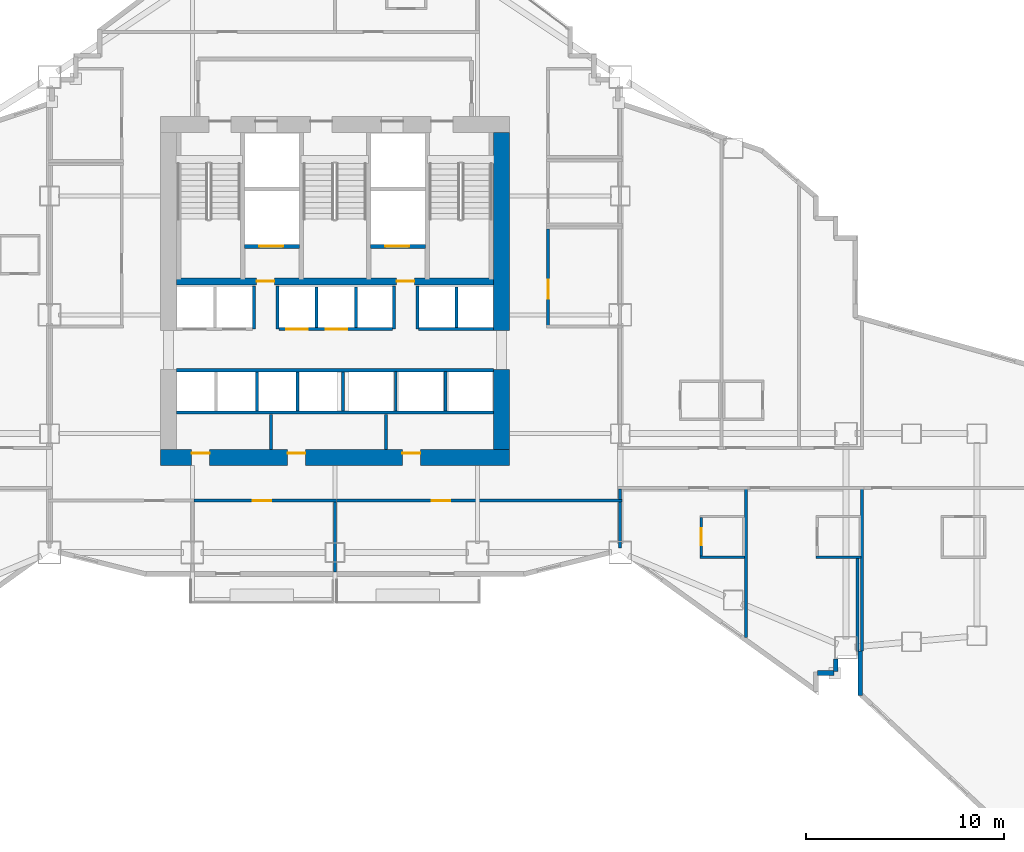
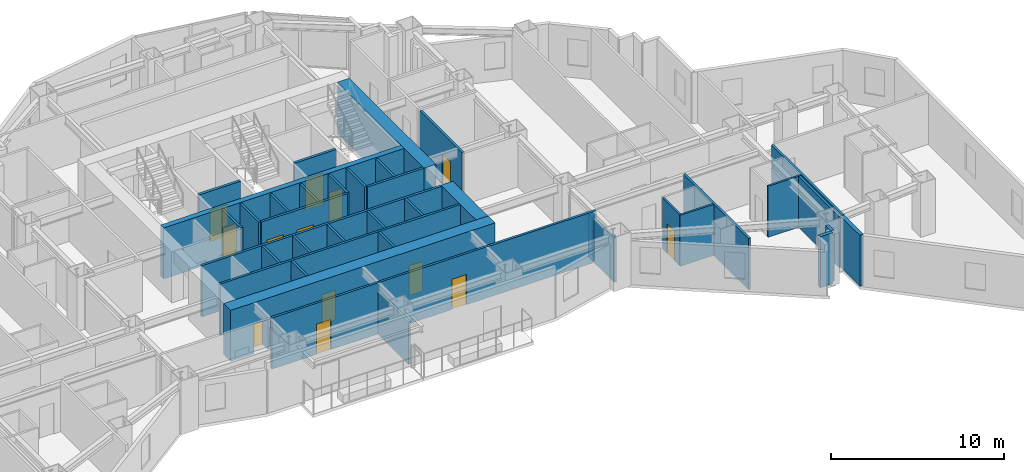
# One storey, part 9 of 16: 39 walls, 13 doors, 13 openings.
"""IFC4 building model written with IfcOpenShell, lengths in metres."""

import ifcopenshell
import ifcopenshell.guid

model = None  # the IFC model being written
_history = None  # IfcOwnerHistory: only IFC2X3 demands one
_inside = {}  # id of a spatial element -> (the spatial element, [elements in it])
_under = {}  # id of a project, library or spatial element -> (it, [spatial elements below it])
_declared = {}  # id of a project -> (the project, [libraries it declares])
_typed = {}  # id of a type object -> (the type object, [elements of that type])
_made_of = {}  # id of a material, layer set ... -> (it, [elements and type objects made of it])


def new_model(schema):
    """Start an empty IFC model of exactly this schema.

    Asked for "IFC4X3", IfcOpenShell would pick the latest addendum, in which some entities
    have other attributes; the version numbers below select the first issue.
    IFC2X3 requires an IfcOwnerHistory on every rooted entity: one is made here for all.
    """
    global model, _history
    if schema == "IFC4X3":
        model = ifcopenshell.file(schema_version=(4, 3, 0, 0))
    else:
        model = ifcopenshell.file(schema=schema)
    _inside.clear()
    _under.clear()
    _declared.clear()
    _typed.clear()
    _made_of.clear()
    _history = None
    if model.schema == "IFC2X3":
        org = make("IfcOrganization", Name="unknown")
        user = make(
            "IfcPersonAndOrganization",
            ThePerson=make("IfcPerson", FamilyName="unknown"),
            TheOrganization=org,
        )
        app = make(
            "IfcApplication",
            ApplicationDeveloper=org,
            Version="unknown",
            ApplicationFullName="unknown",
            ApplicationIdentifier="unknown",
        )
        _history = make(
            "IfcOwnerHistory",
            OwningUser=user,
            OwningApplication=app,
            ChangeAction="ADDED",
            CreationDate=0,
        )
    return model


def make(cls, **values):
    """One entity of the class cls with the attributes given. An attribute that is None is left unset."""
    return model.create_entity(
        cls, **{name: value for name, value in values.items() if value is not None}
    )


def rooted(cls, **values):
    """An entity with a GlobalId (a new one), such as an element, a storey or a relation."""
    return make(cls, GlobalId=ifcopenshell.guid.new(), OwnerHistory=_history, **values)


def si_unit(unit_type, name, prefix=None):
    """IfcSIUnit, for example si_unit("LENGTHUNIT", "METRE", prefix="MILLI")."""
    return make("IfcSIUnit", UnitType=unit_type, Prefix=prefix, Name=name)


def assignment(units):
    """IfcUnitAssignment: the units of a project."""
    return None if units is None else make("IfcUnitAssignment", Units=units)


def point(xyz):
    """IfcCartesianPoint."""
    return None if xyz is None else make("IfcCartesianPoint", Coordinates=xyz)


def direction(xyz):
    """IfcDirection."""
    return None if xyz is None else make("IfcDirection", DirectionRatios=xyz)


def frame(location, z_axis=None, x_axis=None):
    """IfcAxis2Placement3D, a coordinate frame: its origin and axes. An axis left out is left unset."""
    return make(
        "IfcAxis2Placement3D",
        Location=point(location),
        Axis=direction(z_axis),
        RefDirection=direction(x_axis),
    )


def frame_2d(location, x_axis=None):
    """IfcAxis2Placement2D, a coordinate frame in the plane: its origin and x axis."""
    return make(
        "IfcAxis2Placement2D", Location=point(location), RefDirection=direction(x_axis)
    )


def origin():
    """The frame at (0, 0, 0) with its axes left unset."""
    return frame((0.0, 0.0, 0.0))


def place(relative_to, where):
    """IfcLocalPlacement: puts the frame where relative to a parent placement (None: the world)."""
    return make(
        "IfcLocalPlacement", PlacementRelTo=relative_to, RelativePlacement=where
    )


def context(
    kind, dimensions, precision=None, world=None, true_north=None, identifier=None
):
    """IfcGeometricRepresentationContext, for example the 3D "Model" context."""
    return make(
        "IfcGeometricRepresentationContext",
        ContextIdentifier=identifier,
        ContextType=kind,
        CoordinateSpaceDimension=dimensions,
        Precision=precision,
        WorldCoordinateSystem=world,
        TrueNorth=true_north,
    )


def subcontext(parent, identifier, kind, view, scale=None):
    """IfcGeometricRepresentationSubContext, for example "Body" below "Model"."""
    return make(
        "IfcGeometricRepresentationSubContext",
        ContextIdentifier=identifier,
        ContextType=kind,
        ParentContext=parent,
        TargetScale=scale,
        TargetView=view,
    )


def project(units=None, contexts=None):
    """IfcProject with its units and contexts."""
    return rooted(
        "IfcProject",
        Name="project",
        RepresentationContexts=contexts,
        UnitsInContext=assignment(units),
    )


def spatial(cls, under=None, at=None, **own):
    """A site, building, storey or space (cls), placed at a placement, below another one or the project."""
    s = rooted(cls, ObjectPlacement=at, **own)
    if under is not None:
        _under.setdefault(under.id(), (under, []))[1].append(s)
    return s


def profile(cls, at=None, kind="AREA", **sizes):
    """A parametric profile (cls). Its sizes go by their IFC names, for example OverallWidth=200.0."""
    return make(cls, ProfileType=kind, Position=at, **sizes)


def rectangle(**sizes):
    """IfcRectangleProfileDef."""
    return profile("IfcRectangleProfileDef", **sizes)


def extrude(swept, where, along, depth):
    """IfcExtrudedAreaSolid: the profile swept, set in the frame where, extruded along a direction by depth."""
    return make(
        "IfcExtrudedAreaSolid",
        SweptArea=swept,
        Position=where,
        ExtrudedDirection=direction(along),
        Depth=depth,
    )


def shape(context_of_items, identifier, shape_type, items):
    """IfcShapeRepresentation: the items that make up one representation, for example the "Body"."""
    return make(
        "IfcShapeRepresentation",
        ContextOfItems=context_of_items,
        RepresentationIdentifier=identifier,
        RepresentationType=shape_type,
        Items=items,
    )


def material(Name=None, Category=None):
    """IfcMaterial."""
    return make("IfcMaterial", Name=Name, Category=Category)


def layer(
    of_material, thickness, ventilated=None, Name=None, Category=None, Priority=None
):
    """IfcMaterialLayer: one layer of a wall or slab, of a material (None: an air gap)."""
    return make(
        "IfcMaterialLayer",
        Material=of_material,
        LayerThickness=thickness,
        IsVentilated=ventilated,
        Name=Name,
        Category=Category,
        Priority=Priority,
    )


def layer_set(layers, Name=None):
    """IfcMaterialLayerSet."""
    return make("IfcMaterialLayerSet", MaterialLayers=layers, LayerSetName=Name)


def made_of(thing, what):
    """Note that an element or type object is made of a material, layer set ...; save() writes the relation."""
    if what is not None:
        _made_of.setdefault(what.id(), (what, []))[1].append(thing)
    return thing


def type_object(cls, material=None, **own):
    """A type object (cls), such as IfcWallType, which elements share."""
    return made_of(rooted(cls, **own), material)


def element(
    cls,
    number,
    at=None,
    inside=None,
    cuts=None,
    type_object=None,
    material=None,
    context=None,
    identifier="Body",
    shape_type=None,
    held_by="IfcProductDefinitionShape",
    body=None,
    shapes=None,
    **own,
):
    """One element of the class cls, such as IfcWall. Its Tag is "e" and its number.

    at: its placement. inside: the storey or other place that contains it. cuts: it is an
    opening in that element (IfcRelVoidsElement). A single representation is given by context,
    identifier, shape_type and body (its items); several are given by shapes. held_by: the class
    of the entity that holds the representations. save() writes the other relations.
    """
    e = rooted(cls, Tag="e%d" % number, ObjectPlacement=at, **own)
    if body is not None:
        shapes = [shape(context, identifier, shape_type, body)]
    if shapes is not None:
        e.Representation = make(held_by, Representations=shapes)
    if inside is not None:
        _inside.setdefault(inside.id(), (inside, []))[1].append(e)
    if cuts is not None:
        rooted(
            "IfcRelVoidsElement", RelatingBuildingElement=cuts, RelatedOpeningElement=e
        )
    if type_object is not None:
        _typed.setdefault(type_object.id(), (type_object, []))[1].append(e)
    return made_of(e, material)


def fill(opening, filler):
    """IfcRelFillsElement: the door or window that sits in an opening."""
    return rooted(
        "IfcRelFillsElement",
        RelatingOpeningElement=opening,
        RelatedBuildingElement=filler,
    )


def aggregate(whole, parts):
    """IfcRelAggregates: a whole, such as a stair, and the parts it consists of."""
    return rooted("IfcRelAggregates", RelatingObject=whole, RelatedObjects=parts)


def save(model, path):
    """Write the relations noted so far, then the file.

    IfcRelAggregates (storeys below a building ...), IfcRelContainedInSpatialStructure (elements
    in a storey), IfcRelDefinesByType, IfcRelAssociatesMaterial and IfcRelDeclares: one each for
    every whole, place, type object, material and project.
    """
    for whole, parts in _under.values():
        aggregate(whole, parts)
    for where, things in _inside.values():
        rooted(
            "IfcRelContainedInSpatialStructure",
            RelatedElements=things,
            RelatingStructure=where,
        )
    for kind, things in _typed.values():
        rooted("IfcRelDefinesByType", RelatedObjects=things, RelatingType=kind)
    for what, things in _made_of.values():
        rooted("IfcRelAssociatesMaterial", RelatedObjects=things, RelatingMaterial=what)
    for by, libraries in _declared.values():
        rooted("IfcRelDeclares", RelatingContext=by, RelatedDefinitions=libraries)
    model.write(path)


model = new_model("IFC4")

# Units and contexts
model_context = context("Model", 3, precision=1e-05, world=origin(), true_north=direction((0.0, 1.0)))
body_context = subcontext(model_context, "Body", "Model", "MODEL_VIEW")
ifc_project = project(units=[si_unit("LENGTHUNIT", "METRE"), si_unit("AREAUNIT", "SQUARE_METRE"), si_unit("VOLUMEUNIT", "CUBIC_METRE"), si_unit("PLANEANGLEUNIT", "RADIAN"), si_unit("MASSUNIT", "GRAM", prefix="KILO")], contexts=[model_context])

# Site, building, storey
site_placement = place(None, origin())
site = spatial("IfcSite", under=ifc_project, at=site_placement, CompositionType="ELEMENT")
building_placement = place(site_placement, origin())
building = spatial("IfcBuilding", under=site, at=building_placement, Name="Haolan Belvedere Tower", CompositionType="ELEMENT")
storey_placement = place(building_placement, frame((0.0, 0.0, 74.199951171875)))
storey = spatial("IfcBuildingStorey", under=building, at=storey_placement, Name="L18", CompositionType="ELEMENT", Elevation=74.199951171875)

# Wall, openings, doors
ifc_material_1 = material(Name="Concrete C70/85", Category="concrete")
ifc_layer_1 = layer(ifc_material_1, 0.800048828125, Name="Concrete C70/85")
ifc_layer_set_1 = layer_set([ifc_layer_1], Name="Concrete C70/85")
wall_type_1 = type_object("IfcWallType", Name="WL-CORE-800", PredefinedType="SHEAR", material=ifc_layer_set_1)
wall_1_placement = place(storey_placement, frame((29.60009765625, 26.39990234375, 0.0), z_axis=(0.0, 0.0, 1.0), x_axis=(1.0, 0.0, 0.0)))
wall_1 = element("IfcWall", 1, at=wall_1_placement, inside=storey, type_object=wall_type_1, Name="L18 central core south shear wall", PredefinedType="SHEAR", context=body_context, shape_type="SweptSolid", body=[
    extrude(rectangle(XDim=17.599853515625, YDim=0.800048828125, at=frame_2d((8.7998046875, 0.0))), origin(), (0.0, 0.0, 1.0), 3.60009765625),
])
opening_1_placement = place(wall_1_placement, frame((2.469970703125, 0.0, 0.0), z_axis=(0.0, 0.0, 1.0), x_axis=(-1.0, 0.0, 0.0)))
opening_1 = element("IfcOpeningElement", 2, at=opening_1_placement, cuts=wall_1, Name="Opening FD-05", PredefinedType="OPENING", context=body_context, shape_type="SweptSolid", body=[
    extrude(rectangle(XDim=0.89990234375, YDim=2.10009765625, at=frame_2d((0.449951171875, 1.050048828125))), frame((0.0, 0.409912109375, 0.0), z_axis=(0.0, -1.0, 0.0), x_axis=(1.0, 0.0, 0.0)), (0.0, 0.0, 1.0), 0.820068359375),
])
opening_2_placement = place(wall_1_placement, frame((7.309814453125, 0.0, 0.0), z_axis=(0.0, 0.0, 1.0), x_axis=(-1.0, 0.0, 0.0)))
opening_2 = element("IfcOpeningElement", 3, at=opening_2_placement, cuts=wall_1, Name="Opening FD-05", PredefinedType="OPENING", context=body_context, shape_type="SweptSolid", body=[
    extrude(rectangle(XDim=0.89990234375, YDim=2.10009765625, at=frame_2d((0.449951171875, 1.050048828125))), frame((0.0, 0.409912109375, 0.0), z_axis=(0.0, -1.0, 0.0), x_axis=(1.0, 0.0, 0.0)), (0.0, 0.0, 1.0), 0.820068359375),
])
opening_3_placement = place(wall_1_placement, frame((13.10986328125, 0.0, 0.0), z_axis=(0.0, 0.0, 1.0), x_axis=(-1.0, 0.0, 0.0)))
opening_3 = element("IfcOpeningElement", 4, at=opening_3_placement, cuts=wall_1, Name="Opening FD-05", PredefinedType="OPENING", context=body_context, shape_type="SweptSolid", body=[
    extrude(rectangle(XDim=0.89990234375, YDim=2.10009765625, at=frame_2d((0.449951171875, 1.050048828125))), frame((0.0, 0.409912109375, 0.0), z_axis=(0.0, -1.0, 0.0), x_axis=(1.0, 0.0, 0.0)), (0.0, 0.0, 1.0), 0.820068359375),
])
ifc_material_2 = material(Name="Galvanised fire-rated steel", Category="steel")
door_type_1 = type_object("IfcDoorType", Name="DR-FD60-900", OperationType="NOTDEFINED", PredefinedType="DOOR", material=ifc_material_2)
door_1_placement = place(opening_1_placement, origin())
door_1 = element("IfcDoor", 5, at=door_1_placement, inside=storey, type_object=door_type_1, Name="L18 door CD-L18-SCV-1", OperationType="SINGLE_SWING_LEFT", OverallHeight=2.10009765625, OverallWidth=0.89990234375, PredefinedType="DOOR", context=body_context, shape_type="SweptSolid", body=[
    extrude(rectangle(XDim=0.89990234375, YDim=2.10009765625, at=frame_2d((0.449951171875, 1.050048828125))), frame((0.0, -0.19482421875, 0.0), z_axis=(0.0, -1.0, 0.0), x_axis=(1.0, 0.0, 0.0)), (0.0, 0.0, 1.0), 0.050048828125),
])
fill(opening_1, door_1)
door_2_placement = place(opening_2_placement, origin())
door_2 = element("IfcDoor", 6, at=door_2_placement, inside=storey, type_object=door_type_1, Name="L18 door CD-L18-SCV-2", OperationType="SINGLE_SWING_RIGHT", OverallHeight=2.10009765625, OverallWidth=0.89990234375, PredefinedType="DOOR", context=body_context, shape_type="SweptSolid", body=[
    extrude(rectangle(XDim=0.89990234375, YDim=2.10009765625, at=frame_2d((0.449951171875, 1.050048828125))), frame((0.0, -0.19482421875, 0.0), z_axis=(0.0, -1.0, 0.0), x_axis=(1.0, 0.0, 0.0)), (0.0, 0.0, 1.0), 0.050048828125),
])
fill(opening_2, door_2)
door_3_placement = place(opening_3_placement, origin())
door_3 = element("IfcDoor", 7, at=door_3_placement, inside=storey, type_object=door_type_1, Name="L18 door CD-L18-SCV-3", OperationType="SINGLE_SWING_LEFT", OverallHeight=2.10009765625, OverallWidth=0.89990234375, PredefinedType="DOOR", context=body_context, shape_type="SweptSolid", body=[
    extrude(rectangle(XDim=0.89990234375, YDim=2.10009765625, at=frame_2d((0.449951171875, 1.050048828125))), frame((0.0, -0.19482421875, 0.0), z_axis=(0.0, -1.0, 0.0), x_axis=(1.0, 0.0, 0.0)), (0.0, 0.0, 1.0), 0.050048828125),
])
fill(opening_3, door_3)

# Walls
wall_2_placement = place(storey_placement, frame((46.800048828125, 26.800048828125, 0.0), z_axis=(0.0, 0.0, 1.0), x_axis=(0.0, 1.0, 0.0)))
element("IfcWall", 8, at=wall_2_placement, inside=storey, type_object=wall_type_1, Name="L18 central core shear wall ES", PredefinedType="SHEAR", context=body_context, shape_type="SweptSolid", body=[
    extrude(rectangle(XDim=4.050048828125, YDim=0.800048828125, at=frame_2d((2.02490234375, 0.0))), origin(), (0.0, 0.0, 1.0), 3.60009765625),
])
wall_3_placement = place(storey_placement, frame((46.800048828125, 32.800048828125, 0.0), z_axis=(0.0, 0.0, 1.0), x_axis=(0.0, 1.0, 0.0)))
element("IfcWall", 9, at=wall_3_placement, inside=storey, type_object=wall_type_1, Name="L18 central core shear wall EN", PredefinedType="SHEAR", context=body_context, shape_type="SweptSolid", body=[
    extrude(rectangle(XDim=10.0, YDim=0.800048828125, at=frame_2d((5.0, 0.0))), origin(), (0.0, 0.0, 1.0), 3.60009765625),
])
ifc_material_3 = material(Name="Precast concrete C40/50", Category="concrete")
ifc_layer_2 = layer(ifc_material_3, 0.239990234375, Name="Precast concrete C40/50")
ifc_layer_set_2 = layer_set([ifc_layer_2], Name="Precast concrete C40/50")
wall_type_2 = type_object("IfcWallType", Name="WL-EXT-240", PredefinedType="SOLIDWALL", material=ifc_layer_set_2)
wall_4_placement = place(storey_placement, frame((62.7451171875, 15.52001953125, 0.0), z_axis=(0.0, 0.0, 1.0), x_axis=(1.0, 0.0, 0.0)))
element("IfcWall", 10, at=wall_4_placement, inside=storey, type_object=wall_type_2, Name="L18 pale-metal exterior spandrel wall 17.1", PredefinedType="SOLIDWALL", context=body_context, shape_type="SweptSolid", body=[
    extrude(rectangle(XDim=0.849853515625, YDim=0.239990234375, at=frame_2d((0.4248046875, 0.0))), origin(), (0.0, 0.0, 1.0), 3.60009765625),
])
wall_5_placement = place(storey_placement, frame((63.679931640625, 15.60498046875, 0.0), z_axis=(0.0, 0.0, 1.0), x_axis=(0.0, 1.0, 0.0)))
element("IfcWall", 11, at=wall_5_placement, inside=storey, type_object=wall_type_2, Name="L18 pale-metal exterior spandrel wall 18.1", PredefinedType="SOLIDWALL", context=body_context, shape_type="SweptSolid", body=[
    extrude(rectangle(XDim=0.6279296875, YDim=0.239990234375, at=frame_2d((0.31396484375, 0.0))), origin(), (0.0, 0.0, 1.0), 3.60009765625),
])
wall_6_placement = place(storey_placement, frame((64.919921875, 16.639892578125, 0.0), z_axis=(0.0, 0.0, 1.0), x_axis=(0.0, -1.0, 0.0)))
element("IfcWall", 12, at=wall_6_placement, inside=storey, type_object=wall_type_2, Name="L18 pale-metal exterior spandrel wall 20.1", PredefinedType="SOLIDWALL", context=body_context, shape_type="SweptSolid", body=[
    extrude(rectangle(XDim=2.24267578125, YDim=0.239990234375, at=frame_2d((1.121337890625, 0.0))), origin(), (0.0, 0.0, 1.0), 3.60009765625),
])
ifc_material_4 = material(Name="Double gypsum acoustic stud partition", Category="masonry")
ifc_layer_3 = layer(ifc_material_4, 0.14990234375, Name="Double gypsum acoustic stud partition")
ifc_layer_set_3 = layer_set([ifc_layer_3], Name="Double gypsum acoustic stud partition")
wall_type_3 = type_object("IfcWallType", Name="WL-PART-150", PredefinedType="PARTITIONING", material=ifc_layer_set_3)
wall_7_placement = place(storey_placement, frame((30.39990234375, 28.659912109375, 0.0), z_axis=(0.0, 0.0, 1.0), x_axis=(1.0, 0.0, 0.0)))
element("IfcWall", 13, at=wall_7_placement, inside=storey, type_object=wall_type_3, Name="L18 interior partition IW-L18-SSTRIP-N", PredefinedType="PARTITIONING", context=body_context, shape_type="SweptSolid", body=[
    extrude(rectangle(XDim=16.0, YDim=0.14990234375, at=frame_2d((8.0, 0.0))), origin(), (0.0, 0.0, 1.0), 3.60009765625),
])
for number, where, z_axis, x_axis, name in (
    (14, (35.179931640625, 26.81005859375, 0.0), (0.0, 0.0, 1.0), (0.0, 1.0, 0.0), "L18 interior partition IW-L18-SCV-DIV-1"),
    (15, (40.97998046875, 26.81005859375, 0.0), (0.0, 0.0, 1.0), (0.0, 1.0, 0.0), "L18 interior partition IW-L18-SCV-DIV-2"),
):
    element("IfcWall", number, at=place(storey_placement, frame(where, z_axis=z_axis, x_axis=x_axis)), inside=storey, type_object=wall_type_3, Name=name, PredefinedType="PARTITIONING", context=body_context, shape_type="SweptSolid", body=[
        extrude(rectangle(XDim=1.77001953125, YDim=0.14990234375, at=frame_2d((0.885009765625, 0.0))), origin(), (0.0, 0.0, 1.0), 3.60009765625),
    ])

# Wall, opening, door
wall_8_placement = place(storey_placement, frame((49.159912109375, 33.06005859375, 0.0), z_axis=(0.0, 0.0, 1.0), x_axis=(0.0, 1.0, 0.0)))
wall_8 = element("IfcWall", 16, at=wall_8_placement, inside=storey, type_object=wall_type_3, Name="L18 interior partition IW-L18-BPN-W", PredefinedType="PARTITIONING", context=body_context, shape_type="SweptSolid", body=[
    extrude(rectangle(XDim=4.8798828125, YDim=0.14990234375, at=frame_2d((2.43994140625, 0.0))), origin(), (0.0, 0.0, 1.0), 3.60009765625),
])
opening_4_placement = place(wall_8_placement, frame((1.360107421875, 0.0, 0.0)))
opening_4 = element("IfcOpeningElement", 17, at=opening_4_placement, cuts=wall_8, Name="Opening ID-03", PredefinedType="OPENING", context=body_context, shape_type="SweptSolid", body=[
    extrude(rectangle(XDim=0.949951171875, YDim=2.1201171875, at=frame_2d((0.47509765625, 1.06005859375))), frame((0.0, 0.0849609375, 0.0), z_axis=(0.0, -1.0, 0.0), x_axis=(1.0, 0.0, 0.0)), (0.0, 0.0, 1.0), 0.169921875),
])
ifc_material_5 = material(Name="Painted solid-core timber", Category="wood")
door_type_2 = type_object("IfcDoorType", Name="DR-INT-950", OperationType="NOTDEFINED", PredefinedType="DOOR", material=ifc_material_5)
door_4_placement = place(opening_4_placement, origin())
door_4 = element("IfcDoor", 18, at=door_4_placement, inside=storey, type_object=door_type_2, Name="L18 door ID-L18-BPN", OperationType="SINGLE_SWING_RIGHT", OverallHeight=2.1201171875, OverallWidth=0.949951171875, PredefinedType="DOOR", context=body_context, shape_type="SweptSolid", body=[
    extrude(rectangle(XDim=0.949951171875, YDim=2.1201171875, at=frame_2d((0.47509765625, 1.06005859375))), frame((0.0, 0.02490234375, 0.0), z_axis=(0.0, -1.0, 0.0), x_axis=(1.0, 0.0, 0.0)), (0.0, 0.0, 1.0), 0.050048828125),
])
fill(opening_4, door_4)

wall_9_placement = place(storey_placement, frame((31.281982421875, 24.219970703125, 0.0), z_axis=(0.0, 0.0, 1.0), x_axis=(1.0, 0.0, 0.0)))
wall_9 = element("IfcWall", 19, at=wall_9_placement, inside=storey, type_object=wall_type_3, Name="L18 interior partition IW-L18-KS2-N", PredefinedType="PARTITIONING", context=body_context, shape_type="SweptSolid", body=[
    extrude(rectangle(XDim=7.197998046875, YDim=0.14990234375, at=frame_2d((3.59912109375, 0.0))), origin(), (0.0, 0.0, 1.0), 3.60009765625),
])
opening_5_placement = place(wall_9_placement, frame((3.912841796875, 0.0, 0.0), z_axis=(0.0, 0.0, 1.0), x_axis=(-1.0, 0.0, 0.0)))
opening_5 = element("IfcOpeningElement", 20, at=opening_5_placement, cuts=wall_9, Name="Opening ID-03", PredefinedType="OPENING", context=body_context, shape_type="SweptSolid", body=[
    extrude(rectangle(XDim=0.949951171875, YDim=2.1201171875, at=frame_2d((0.47509765625, 1.06005859375))), frame((0.0, 0.0849609375, 0.0), z_axis=(0.0, -1.0, 0.0), x_axis=(1.0, 0.0, 0.0)), (0.0, 0.0, 1.0), 0.169921875),
])
door_5_placement = place(opening_5_placement, origin())
door_5 = element("IfcDoor", 21, at=door_5_placement, inside=storey, type_object=door_type_2, Name="L18 door ID-L18-KS2", OperationType="SINGLE_SWING_LEFT", OverallHeight=2.1201171875, OverallWidth=0.949951171875, PredefinedType="DOOR", context=body_context, shape_type="SweptSolid", body=[
    extrude(rectangle(XDim=0.949951171875, YDim=2.1201171875, at=frame_2d((0.47509765625, 1.06005859375))), frame((0.0, 0.02490234375, 0.0), z_axis=(0.0, -1.0, 0.0), x_axis=(1.0, 0.0, 0.0)), (0.0, 0.0, 1.0), 0.050048828125),
])
fill(opening_5, door_5)

# Wall
wall_10_placement = place(storey_placement, frame((38.39990234375, 20.625, 0.0), z_axis=(0.0, 0.0, 1.0), x_axis=(0.0, 1.0, 0.0)))
element("IfcWall", 22, at=wall_10_placement, inside=storey, type_object=wall_type_3, Name="L18 interior partition IW-L18-KS2-E", PredefinedType="PARTITIONING", context=body_context, shape_type="SweptSolid", body=[
    extrude(rectangle(XDim=3.534912109375, YDim=0.14990234375, at=frame_2d((1.767578125, 0.0))), origin(), (0.0, 0.0, 1.0), 2.985107421875),
])

# Wall, opening, door
wall_11_placement = place(storey_placement, frame((38.48193359375, 24.219970703125, 0.0), z_axis=(0.0, 0.0, 1.0), x_axis=(1.0, 0.0, 0.0)))
wall_11 = element("IfcWall", 23, at=wall_11_placement, inside=storey, type_object=wall_type_3, Name="L18 interior partition IW-L18-KS3-N", PredefinedType="PARTITIONING", context=body_context, shape_type="SweptSolid", body=[
    extrude(rectangle(XDim=14.39794921875, YDim=0.14990234375, at=frame_2d((7.198974609375, 0.0))), origin(), (0.0, 0.0, 1.0), 3.60009765625),
])
opening_6_placement = place(wall_11_placement, frame((5.742919921875, 0.0, 0.0), z_axis=(0.0, 0.0, 1.0), x_axis=(-1.0, 0.0, 0.0)))
opening_6 = element("IfcOpeningElement", 24, at=opening_6_placement, cuts=wall_11, Name="Opening ID-03", PredefinedType="OPENING", context=body_context, shape_type="SweptSolid", body=[
    extrude(rectangle(XDim=0.949951171875, YDim=2.1201171875, at=frame_2d((0.47509765625, 1.06005859375))), frame((0.0, 0.0849609375, 0.0), z_axis=(0.0, -1.0, 0.0), x_axis=(1.0, 0.0, 0.0)), (0.0, 0.0, 1.0), 0.169921875),
])
door_6_placement = place(opening_6_placement, origin())
door_6 = element("IfcDoor", 25, at=door_6_placement, inside=storey, type_object=door_type_2, Name="L18 door ID-L18-KS3", OperationType="SINGLE_SWING_RIGHT", OverallHeight=2.1201171875, OverallWidth=0.949951171875, PredefinedType="DOOR", context=body_context, shape_type="SweptSolid", body=[
    extrude(rectangle(XDim=0.949951171875, YDim=2.1201171875, at=frame_2d((0.47509765625, 1.06005859375))), frame((0.0, 0.02490234375, 0.0), z_axis=(0.0, -1.0, 0.0), x_axis=(1.0, 0.0, 0.0)), (0.0, 0.0, 1.0), 0.050048828125),
])
fill(opening_6, door_6)

# Walls
wall_12_placement = place(storey_placement, frame((52.800048828125, 21.818603515625, 0.0), z_axis=(0.0, 0.0, 1.0), x_axis=(0.0, 1.0, 0.0)))
element("IfcWall", 26, at=wall_12_placement, inside=storey, type_object=wall_type_3, Name="L18 interior partition IW-L18-KS3-E", PredefinedType="PARTITIONING", context=body_context, shape_type="SweptSolid", body=[
    extrude(rectangle(XDim=2.34130859375, YDim=0.14990234375, at=frame_2d((1.170654296875, 0.0))), origin(), (0.0, 0.0, 1.0), 3.09716796875),
])
wall_13_placement = place(storey_placement, frame((52.800048828125, 24.280029296875, 0.0), z_axis=(0.0, 0.0, 1.0), x_axis=(0.0, 1.0, 0.0)))
element("IfcWall", 27, at=wall_13_placement, inside=storey, type_object=wall_type_3, Name="L18 interior partition IW-L18-T4S1-W", PredefinedType="PARTITIONING", context=body_context, shape_type="SweptSolid", body=[
    extrude(rectangle(XDim=0.530029296875, YDim=0.14990234375, at=frame_2d((0.26513671875, 0.0))), origin(), (0.0, 0.0, 1.0), 3.09716796875),
])
wall_14_placement = place(storey_placement, frame((59.139892578125, 17.3125, 0.0), z_axis=(0.0, 0.0, 1.0), x_axis=(0.0, 1.0, 0.0)))
element("IfcWall", 28, at=wall_14_placement, inside=storey, type_object=wall_type_3, Name="L18 interior partition IW-L18-T4S1-E", PredefinedType="PARTITIONING", context=body_context, shape_type="SweptSolid", body=[
    extrude(rectangle(XDim=7.49755859375, YDim=0.14990234375, at=frame_2d((3.748779296875, 0.0))), origin(), (0.0, 0.0, 1.0), 3.60009765625),
])
wall_15_placement = place(storey_placement, frame((65.0, 16.64208984375, 0.0), z_axis=(0.0, 0.0, 1.0), x_axis=(0.0, 1.0, 0.0)))
element("IfcWall", 29, at=wall_15_placement, inside=storey, type_object=wall_type_3, Name="L18 interior partition IW-L18-T4S2-E", PredefinedType="PARTITIONING", context=body_context, shape_type="SweptSolid", body=[
    extrude(rectangle(XDim=8.16796875, YDim=0.14990234375, at=frame_2d((4.083984375, 0.0))), origin(), (0.0, 0.0, 1.0), 3.60009765625),
])
wall_16_placement = place(storey_placement, frame((64.780029296875, 16.612060546875, 0.0), z_axis=(0.0, 0.0, 1.0), x_axis=(0.0, 1.0, 0.0)))
element("IfcWall", 30, at=wall_16_placement, inside=storey, type_object=wall_type_3, Name="L18 interior partition IW-L18-T5S1-W", PredefinedType="PARTITIONING", context=body_context, shape_type="SweptSolid", body=[
    extrude(rectangle(XDim=4.712890625, YDim=0.14990234375, at=frame_2d((2.3564453125, 0.0))), origin(), (0.0, 0.0, 1.0), 3.60009765625),
])
ifc_material_6 = material(Name="Gypsum fire shaftwall assembly", Category="masonry")
ifc_layer_4 = layer(ifc_material_6, 0.1650390625, Name="Gypsum fire shaftwall assembly")
ifc_layer_set_4 = layer_set([ifc_layer_4], Name="Gypsum fire shaftwall assembly")
wall_type_4 = type_object("IfcWallType", Name="WL-SHAFT-160", PredefinedType="SOLIDWALL", material=ifc_layer_set_4)
for number, where, z_axis, x_axis, name in (
    (31, (34.31005859375, 32.8798828125, 0.0), (0.0, 0.0, 1.0), (0.0, 1.0, 0.0), "L18 interior partition IW-L18-SVP-W-SV1"),
    (32, (35.510009765625, 32.8798828125, 0.0), (0.0, 0.0, 1.0), (0.0, 1.0, 0.0), "L18 interior partition IW-L18-SVP-E-SV1"),
    (33, (41.3701171875, 32.8798828125, 0.0), (0.0, 0.0, 1.0), (0.0, 1.0, 0.0), "L18 interior partition IW-L18-SVP-W-SV2"),
    (34, (42.570068359375, 32.8798828125, 0.0), (0.0, 0.0, 1.0), (0.0, 1.0, 0.0), "L18 interior partition IW-L18-SVP-E-SV2"),
):
    element("IfcWall", number, at=place(storey_placement, frame(where, z_axis=z_axis, x_axis=x_axis)), inside=storey, type_object=wall_type_4, Name=name, PredefinedType="SOLIDWALL", context=body_context, shape_type="SweptSolid", body=[
        extrude(rectangle(XDim=2.170166015625, YDim=0.14990234375, at=frame_2d((1.0849609375, 0.0))), origin(), (0.0, 0.0, 1.0), 3.60009765625),
    ])

# Wall, openings, doors
wall_17_placement = place(storey_placement, frame((35.570068359375, 32.8798828125, 0.0), z_axis=(0.0, 0.0, 1.0), x_axis=(1.0, 0.0, 0.0)))
wall_17 = element("IfcWall", 35, at=wall_17_placement, inside=storey, type_object=wall_type_4, Name="L18 interior partition IW-L18-ROW-PN2", PredefinedType="SOLIDWALL", context=body_context, shape_type="SweptSolid", body=[
    extrude(rectangle(XDim=5.739990234375, YDim=0.159912109375, at=frame_2d((2.8701171875, 0.0))), origin(), (0.0, 0.0, 1.0), 3.60009765625),
])
opening_7_placement = place(wall_17_placement, frame((1.47021484375, 0.0, 0.0), z_axis=(0.0, 0.0, 1.0), x_axis=(-1.0, 0.0, 0.0)))
opening_7 = element("IfcOpeningElement", 36, at=opening_7_placement, cuts=wall_17, Name="Opening LD-01", PredefinedType="OPENING", context=body_context, shape_type="SweptSolid", body=[
    extrude(rectangle(XDim=1.10009765625, YDim=2.199951171875, at=frame_2d((0.550048828125, 1.10009765625))), frame((0.0, 0.08984375, 0.0), z_axis=(0.0, -1.0, 0.0), x_axis=(1.0, 0.0, 0.0)), (0.0, 0.0, 1.0), 0.179931640625),
])
opening_8_placement = place(wall_17_placement, frame((3.460205078125, 0.0, 0.0), z_axis=(0.0, 0.0, 1.0), x_axis=(-1.0, 0.0, 0.0)))
opening_8 = element("IfcOpeningElement", 37, at=opening_8_placement, cuts=wall_17, Name="Opening LD-01", PredefinedType="OPENING", context=body_context, shape_type="SweptSolid", body=[
    extrude(rectangle(XDim=1.10009765625, YDim=2.199951171875, at=frame_2d((0.550048828125, 1.10009765625))), frame((0.0, 0.08984375, 0.0), z_axis=(0.0, -1.0, 0.0), x_axis=(1.0, 0.0, 0.0)), (0.0, 0.0, 1.0), 0.179931640625),
])
ifc_material_7 = material(Name="Brushed champagne stainless steel 316L", Category="steel")
door_type_3 = type_object("IfcDoorType", Name="DR-LIFT-1100", OperationType="SLIDING_TO_LEFT", PredefinedType="DOOR", material=ifc_material_7)
door_7_placement = place(opening_7_placement, origin())
door_7 = element("IfcDoor", 38, at=door_7_placement, inside=storey, type_object=door_type_3, Name="L18 door ID-L18-LD-PL3", OperationType="SLIDING_TO_LEFT", OverallHeight=2.199951171875, OverallWidth=1.10009765625, PredefinedType="DOOR", context=body_context, shape_type="SweptSolid", body=[
    extrude(rectangle(XDim=1.10009765625, YDim=2.199951171875, at=frame_2d((0.550048828125, 1.10009765625))), frame((0.0, 0.02490234375, 0.0), z_axis=(0.0, -1.0, 0.0), x_axis=(1.0, 0.0, 0.0)), (0.0, 0.0, 1.0), 0.050048828125),
])
fill(opening_7, door_7)
door_8_placement = place(opening_8_placement, origin())
door_8 = element("IfcDoor", 39, at=door_8_placement, inside=storey, type_object=door_type_3, Name="L18 door ID-L18-LD-PL4", OperationType="SLIDING_TO_LEFT", OverallHeight=2.199951171875, OverallWidth=1.10009765625, PredefinedType="DOOR", context=body_context, shape_type="SweptSolid", body=[
    extrude(rectangle(XDim=1.10009765625, YDim=2.199951171875, at=frame_2d((0.550048828125, 1.10009765625))), frame((0.0, 0.02490234375, 0.0), z_axis=(0.0, -1.0, 0.0), x_axis=(1.0, 0.0, 0.0)), (0.0, 0.0, 1.0), 0.050048828125),
])
fill(opening_8, door_8)

# Walls
wall_18_placement = place(storey_placement, frame((42.6298828125, 32.8798828125, 0.0), z_axis=(0.0, 0.0, 1.0), x_axis=(1.0, 0.0, 0.0)))
element("IfcWall", 40, at=wall_18_placement, inside=storey, type_object=wall_type_4, Name="L18 interior partition IW-L18-ROW-PN3", PredefinedType="SOLIDWALL", context=body_context, shape_type="SweptSolid", body=[
    extrude(rectangle(XDim=3.77001953125, YDim=0.159912109375, at=frame_2d((1.885009765625, 0.0))), origin(), (0.0, 0.0, 1.0), 3.60009765625),
])
for number, where, z_axis, x_axis, name in (
    (41, (37.47998046875, 32.949951171875, 0.0), (0.0, 0.0, 1.0), (0.0, 1.0, 0.0), "L18 interior partition IW-L18-DIV-PL3"),
    (42, (39.469970703125, 32.949951171875, 0.0), (0.0, 0.0, 1.0), (0.0, 1.0, 0.0), "L18 interior partition IW-L18-DIV-PL4"),
    (43, (44.530029296875, 32.949951171875, 0.0), (0.0, 0.0, 1.0), (0.0, 1.0, 0.0), "L18 interior partition IW-L18-DIV-PH2"),
):
    element("IfcWall", number, at=place(storey_placement, frame(where, z_axis=z_axis, x_axis=x_axis)), inside=storey, type_object=wall_type_4, Name=name, PredefinedType="SOLIDWALL", context=body_context, shape_type="SweptSolid", body=[
        extrude(rectangle(XDim=2.050048828125, YDim=0.14990234375, at=frame_2d((1.02490234375, 0.0))), origin(), (0.0, 0.0, 1.0), 3.60009765625),
    ])
wall_19_placement = place(storey_placement, frame((30.39990234375, 30.800048828125, 0.0), z_axis=(0.0, 0.0, 1.0), x_axis=(1.0, 0.0, 0.0)))
element("IfcWall", 44, at=wall_19_placement, inside=storey, type_object=wall_type_4, Name="L18 interior partition IW-L18-ROW-PS", PredefinedType="SOLIDWALL", context=body_context, shape_type="SweptSolid", body=[
    extrude(rectangle(XDim=16.0, YDim=0.159912109375, at=frame_2d((8.0, 0.0))), origin(), (0.0, 0.0, 1.0), 3.60009765625),
])
for number, where, z_axis, x_axis, name in (
    (45, (34.4599609375, 28.735107421875, 0.0), (0.0, 0.0, 1.0), (0.0, 1.0, 0.0), "L18 interior partition IW-L18-DIV-PM2"),
    (46, (36.52001953125, 28.735107421875, 0.0), (0.0, 0.0, 1.0), (0.0, 1.0, 0.0), "L18 interior partition IW-L18-DIV-PM3"),
    (47, (38.800048828125, 28.735107421875, 0.0), (0.0, 0.0, 1.0), (0.0, 1.0, 0.0), "L18 interior partition IW-L18-DIV-PM4"),
):
    element("IfcWall", number, at=place(storey_placement, frame(where, z_axis=z_axis, x_axis=x_axis)), inside=storey, type_object=wall_type_4, Name=name, PredefinedType="SOLIDWALL", context=body_context, shape_type="SweptSolid", body=[
        extrude(rectangle(XDim=1.98486328125, YDim=0.14990234375, at=frame_2d((0.992431640625, 0.0))), origin(), (0.0, 0.0, 1.0), 3.60009765625),
    ])
for number, where, z_axis, x_axis, name in (
    (48, (41.469970703125, 28.75, 0.0), (0.0, 0.0, 1.0), (0.0, 1.0, 0.0), "L18 interior partition IW-L18-DIV-OB1"),
    (49, (43.97998046875, 28.75, 0.0), (0.0, 0.0, 1.0), (0.0, 1.0, 0.0), "L18 interior partition IW-L18-DIV-OB2"),
):
    element("IfcWall", number, at=place(storey_placement, frame(where, z_axis=z_axis, x_axis=x_axis)), inside=storey, type_object=wall_type_4, Name=name, PredefinedType="SOLIDWALL", context=body_context, shape_type="SweptSolid", body=[
        extrude(rectangle(XDim=1.985107421875, YDim=0.14990234375, at=frame_2d((0.99267578125, 0.0))), origin(), (0.0, 0.0, 1.0), 3.60009765625),
    ])

# Wall, opening, door
ifc_layer_5 = layer(ifc_material_3, 0.179931640625, Name="Precast concrete C40/50")
ifc_layer_set_5 = layer_set([ifc_layer_5], Name="Precast concrete C40/50")
wall_type_5 = type_object("IfcWallType", Name="WL-SHAFT-180", PredefinedType="SOLIDWALL", material=ifc_layer_set_5)
wall_20_placement = place(storey_placement, frame((33.8349609375, 37.050048828125, 0.0), z_axis=(0.0, 0.0, 1.0), x_axis=(1.0, 0.0, 0.0)))
wall_20 = element("IfcWall", 50, at=wall_20_placement, inside=storey, type_object=wall_type_5, Name="L18 interior partition IW-L18-SV1-S", PredefinedType="SOLIDWALL", context=body_context, shape_type="SweptSolid", body=[
    extrude(rectangle(XDim=2.77001953125, YDim=0.179931640625, at=frame_2d((1.385009765625, 0.0))), origin(), (0.0, 0.0, 1.0), 3.60009765625),
])
opening_9_placement = place(wall_20_placement, frame((1.945068359375, 0.0, 0.0), z_axis=(0.0, 0.0, 1.0), x_axis=(-1.0, 0.0, 0.0)))
opening_9 = element("IfcOpeningElement", 51, at=opening_9_placement, cuts=wall_20, Name="Opening LD-02", PredefinedType="OPENING", context=body_context, shape_type="SweptSolid", body=[
    extrude(rectangle(XDim=1.199951171875, YDim=2.199951171875, at=frame_2d((0.60009765625, 1.10009765625))), frame((0.0, 0.099853515625, 0.0), z_axis=(0.0, -1.0, 0.0), x_axis=(1.0, 0.0, 0.0)), (0.0, 0.0, 1.0), 0.199951171875),
])
door_type_4 = type_object("IfcDoorType", Name="DR-LIFT-1200", OperationType="SLIDING_TO_RIGHT", PredefinedType="DOOR", material=ifc_material_7)
door_9_placement = place(opening_9_placement, origin())
door_9 = element("IfcDoor", 52, at=door_9_placement, inside=storey, type_object=door_type_4, Name="L18 door ID-L18-LD-SV1", OperationType="SLIDING_TO_RIGHT", OverallHeight=2.199951171875, OverallWidth=1.199951171875, PredefinedType="DOOR", context=body_context, shape_type="SweptSolid", body=[
    extrude(rectangle(XDim=1.199951171875, YDim=2.199951171875, at=frame_2d((0.60009765625, 1.10009765625))), frame((0.0, 0.02490234375, 0.0), z_axis=(0.0, -1.0, 0.0), x_axis=(1.0, 0.0, 0.0)), (0.0, 0.0, 1.0), 0.050048828125),
])
fill(opening_9, door_9)

wall_21_placement = place(storey_placement, frame((40.195068359375, 37.050048828125, 0.0), z_axis=(0.0, 0.0, 1.0), x_axis=(1.0, 0.0, 0.0)))
wall_21 = element("IfcWall", 53, at=wall_21_placement, inside=storey, type_object=wall_type_5, Name="L18 interior partition IW-L18-SV2-S", PredefinedType="SOLIDWALL", context=body_context, shape_type="SweptSolid", body=[
    extrude(rectangle(XDim=2.77001953125, YDim=0.179931640625, at=frame_2d((1.385009765625, 0.0))), origin(), (0.0, 0.0, 1.0), 3.60009765625),
])
opening_10_placement = place(wall_21_placement, frame((1.945068359375, 0.0, 0.0), z_axis=(0.0, 0.0, 1.0), x_axis=(-1.0, 0.0, 0.0)))
opening_10 = element("IfcOpeningElement", 54, at=opening_10_placement, cuts=wall_21, Name="Opening LD-02", PredefinedType="OPENING", context=body_context, shape_type="SweptSolid", body=[
    extrude(rectangle(XDim=1.199951171875, YDim=2.199951171875, at=frame_2d((0.60009765625, 1.10009765625))), frame((0.0, 0.099853515625, 0.0), z_axis=(0.0, -1.0, 0.0), x_axis=(1.0, 0.0, 0.0)), (0.0, 0.0, 1.0), 0.199951171875),
])
door_10_placement = place(opening_10_placement, origin())
door_10 = element("IfcDoor", 55, at=door_10_placement, inside=storey, type_object=door_type_4, Name="L18 door ID-L18-LD-SV2", OperationType="SLIDING_TO_RIGHT", OverallHeight=2.199951171875, OverallWidth=1.199951171875, PredefinedType="DOOR", context=body_context, shape_type="SweptSolid", body=[
    extrude(rectangle(XDim=1.199951171875, YDim=2.199951171875, at=frame_2d((0.60009765625, 1.10009765625))), frame((0.0, 0.02490234375, 0.0), z_axis=(0.0, -1.0, 0.0), x_axis=(1.0, 0.0, 0.0)), (0.0, 0.0, 1.0), 0.050048828125),
])
fill(opening_10, door_10)

# Wall, openings, doors
ifc_material_8 = material(Name="Concrete C60/75", Category="concrete")
ifc_layer_6 = layer(ifc_material_8, 0.360107421875, Name="Concrete C60/75")
ifc_layer_set_6 = layer_set([ifc_layer_6], Name="Concrete C60/75")
wall_type_6 = type_object("IfcWallType", Name="WL-WEB-350", PredefinedType="SHEAR", material=ifc_layer_set_6)
wall_22_placement = place(storey_placement, frame((30.39990234375, 35.2900390625, 0.0), z_axis=(0.0, 0.0, 1.0), x_axis=(1.0, 0.0, 0.0)))
wall_22 = element("IfcWall", 56, at=wall_22_placement, inside=storey, type_object=wall_type_6, Name="L18 central core internal shear web", PredefinedType="SHEAR", context=body_context, shape_type="SweptSolid", body=[
    extrude(rectangle(XDim=16.0, YDim=0.360107421875, at=frame_2d((8.0, 0.0))), origin(), (0.0, 0.0, 1.0), 3.60009765625),
])
opening_11_placement = place(wall_22_placement, frame((4.949951171875, 0.0, 0.0), z_axis=(0.0, 0.0, 1.0), x_axis=(-1.0, 0.0, 0.0)))
opening_11 = element("IfcOpeningElement", 57, at=opening_11_placement, cuts=wall_22, Name="Opening FD-05", PredefinedType="OPENING", context=body_context, shape_type="SweptSolid", body=[
    extrude(rectangle(XDim=0.89990234375, YDim=2.10009765625, at=frame_2d((0.449951171875, 1.050048828125))), frame((0.0, 0.18994140625, 0.0), z_axis=(0.0, -1.0, 0.0), x_axis=(1.0, 0.0, 0.0)), (0.0, 0.0, 1.0), 0.380126953125),
])
opening_12_placement = place(wall_22_placement, frame((12.010009765625, 0.0, 0.0), z_axis=(0.0, 0.0, 1.0), x_axis=(-1.0, 0.0, 0.0)))
opening_12 = element("IfcOpeningElement", 58, at=opening_12_placement, cuts=wall_22, Name="Opening FD-05", PredefinedType="OPENING", context=body_context, shape_type="SweptSolid", body=[
    extrude(rectangle(XDim=0.89990234375, YDim=2.10009765625, at=frame_2d((0.449951171875, 1.050048828125))), frame((0.0, 0.18994140625, 0.0), z_axis=(0.0, -1.0, 0.0), x_axis=(1.0, 0.0, 0.0)), (0.0, 0.0, 1.0), 0.380126953125),
])
door_11_placement = place(opening_11_placement, origin())
door_11 = element("IfcDoor", 59, at=door_11_placement, inside=storey, type_object=door_type_1, Name="L18 door CD-L18-SVL-SV1", OperationType="SINGLE_SWING_RIGHT", OverallHeight=2.10009765625, OverallWidth=0.89990234375, PredefinedType="DOOR", context=body_context, shape_type="SweptSolid", body=[
    extrude(rectangle(XDim=0.89990234375, YDim=2.10009765625, at=frame_2d((0.449951171875, 1.050048828125))), frame((0.0, 0.02490234375, 0.0), z_axis=(0.0, -1.0, 0.0), x_axis=(1.0, 0.0, 0.0)), (0.0, 0.0, 1.0), 0.050048828125),
])
fill(opening_11, door_11)
door_12_placement = place(opening_12_placement, origin())
door_12 = element("IfcDoor", 60, at=door_12_placement, inside=storey, type_object=door_type_1, Name="L18 door CD-L18-SVL-SV2", OperationType="SINGLE_SWING_RIGHT", OverallHeight=2.10009765625, OverallWidth=0.89990234375, PredefinedType="DOOR", context=body_context, shape_type="SweptSolid", body=[
    extrude(rectangle(XDim=0.89990234375, YDim=2.10009765625, at=frame_2d((0.449951171875, 1.050048828125))), frame((0.0, 0.02490234375, 0.0), z_axis=(0.0, -1.0, 0.0), x_axis=(1.0, 0.0, 0.0)), (0.0, 0.0, 1.0), 0.050048828125),
])
fill(opening_12, door_12)

# Wall
ifc_material_9 = material(Name="Moisture-resistant gypsum tile partition", Category="masonry")
ifc_layer_7 = layer(ifc_material_9, 0.1201171875, Name="Moisture-resistant gypsum tile partition")
ifc_layer_set_7 = layer_set([ifc_layer_7], Name="Moisture-resistant gypsum tile partition")
wall_type_7 = type_object("IfcWallType", Name="WL-WET-120", PredefinedType="PARTITIONING", material=ifc_layer_set_7)
wall_23_placement = place(storey_placement, frame((56.830078125, 21.3701171875, 0.0), z_axis=(0.0, 0.0, 1.0), x_axis=(1.0, 0.0, 0.0)))
element("IfcWall", 61, at=wall_23_placement, inside=storey, type_object=wall_type_7, Name="L18 interior partition IW-L18-T4S1-BS", PredefinedType="PARTITIONING", context=body_context, shape_type="SweptSolid", body=[
    extrude(rectangle(XDim=2.25, YDim=0.1201171875, at=frame_2d((1.125, 0.0))), origin(), (0.0, 0.0, 1.0), 3.60009765625),
])

# Wall, opening, door
wall_24_placement = place(storey_placement, frame((56.889892578125, 21.4150390625, 0.0), z_axis=(0.0, 0.0, 1.0), x_axis=(0.0, 1.0, 0.0)))
wall_24 = element("IfcWall", 62, at=wall_24_placement, inside=storey, type_object=wall_type_7, Name="L18 interior partition IW-L18-T4S1-BW", PredefinedType="PARTITIONING", context=body_context, shape_type="SweptSolid", body=[
    extrude(rectangle(XDim=1.9599609375, YDim=0.1201171875, at=frame_2d((0.97998046875, 0.0))), origin(), (0.0, 0.0, 1.0), 3.60009765625),
])
opening_13_placement = place(wall_24_placement, frame((1.405029296875, 0.0, 0.0), z_axis=(0.0, 0.0, 1.0), x_axis=(-1.0, 0.0, 0.0)))
opening_13 = element("IfcOpeningElement", 63, at=opening_13_placement, cuts=wall_24, Name="Opening ID-05", PredefinedType="OPENING", context=body_context, shape_type="SweptSolid", body=[
    extrude(rectangle(XDim=0.85009765625, YDim=2.10009765625, at=frame_2d((0.425048828125, 1.050048828125))), frame((0.0, 0.070068359375, 0.0), z_axis=(0.0, -1.0, 0.0), x_axis=(1.0, 0.0, 0.0)), (0.0, 0.0, 1.0), 0.14013671875),
])
ifc_material_10 = material(Name="Moisture-resistant lacquered timber", Category="wood")
door_type_5 = type_object("IfcDoorType", Name="DR-BATH-850", OperationType="NOTDEFINED", PredefinedType="DOOR", material=ifc_material_10)
door_13_placement = place(opening_13_placement, origin())
door_13 = element("IfcDoor", 64, at=door_13_placement, inside=storey, type_object=door_type_5, Name="L18 door ID-L18-T4S1-BATH", OperationType="SINGLE_SWING_LEFT", OverallHeight=2.10009765625, OverallWidth=0.85009765625, PredefinedType="DOOR", context=body_context, shape_type="SweptSolid", body=[
    extrude(rectangle(XDim=0.85009765625, YDim=2.10009765625, at=frame_2d((0.425048828125, 1.050048828125))), frame((0.0, 0.02490234375, 0.0), z_axis=(0.0, -1.0, 0.0), x_axis=(1.0, 0.0, 0.0)), (0.0, 0.0, 1.0), 0.050048828125),
])
fill(opening_13, door_13)

# Wall
wall_25_placement = place(storey_placement, frame((62.68994140625, 21.3701171875, 0.0), z_axis=(0.0, 0.0, 1.0), x_axis=(1.0, 0.0, 0.0)))
element("IfcWall", 65, at=wall_25_placement, inside=storey, type_object=wall_type_7, Name="L18 interior partition IW-L18-T4S2-BS", PredefinedType="PARTITIONING", context=body_context, shape_type="SweptSolid", body=[
    extrude(rectangle(XDim=2.25, YDim=0.1201171875, at=frame_2d((1.125, 0.0))), origin(), (0.0, 0.0, 1.0), 3.60009765625),
])

save(model, "model.ifc")
